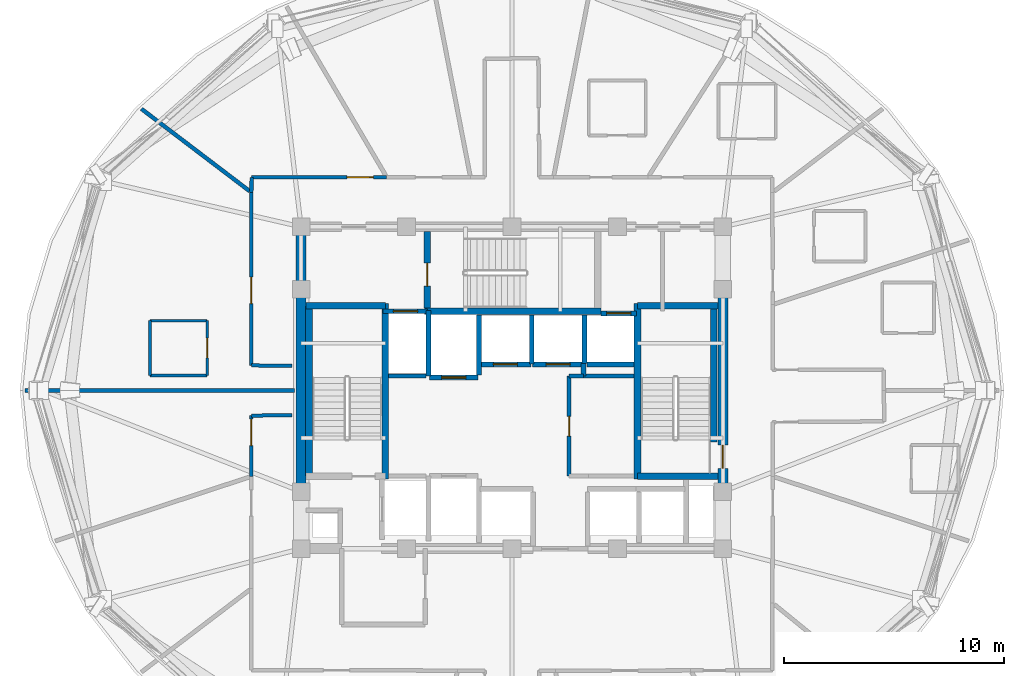
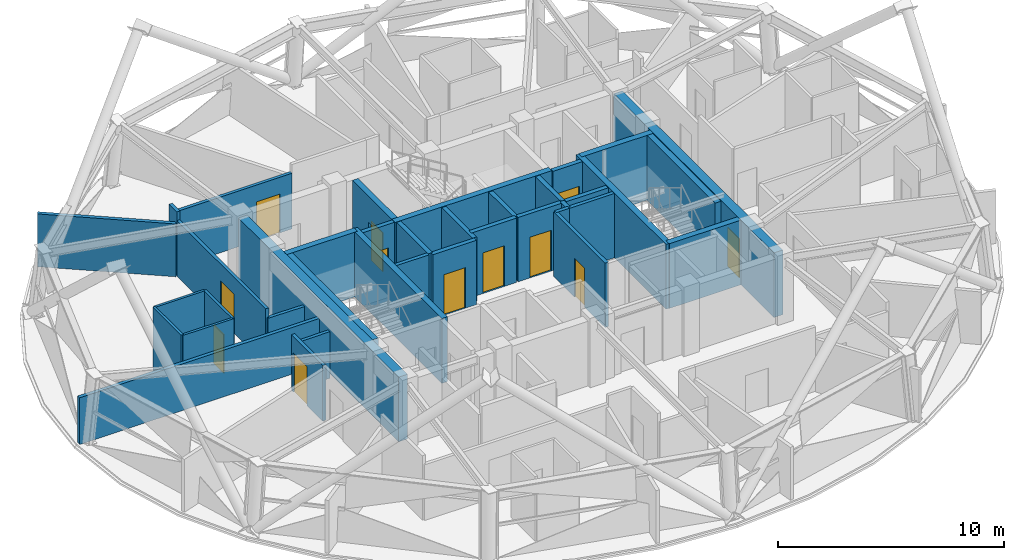
# One storey, part 6 of 12: 38 walls, 12 doors, 12 openings.
"""IFC4 building model written with IfcOpenShell, lengths in metres."""

from ifc_helpers import new_model, si_unit, direction, frame, frame_2d, origin, place, context, subcontext, project, spatial, rectangle, extrude, material, layer, layer_set, type_object, element, fill, save


model = new_model("IFC4")

# Units and contexts
model_context = context("Model", 3, precision=1e-05, world=origin(), true_north=direction((0.0, 1.0)))
body_context = subcontext(model_context, "Body", "Model", "MODEL_VIEW")
ifc_project = project(units=[si_unit("LENGTHUNIT", "METRE"), si_unit("AREAUNIT", "SQUARE_METRE"), si_unit("VOLUMEUNIT", "CUBIC_METRE"), si_unit("PLANEANGLEUNIT", "RADIAN"), si_unit("MASSUNIT", "GRAM", prefix="KILO")], contexts=[model_context])

# Site, building, storey
site_placement = place(None, origin())
site = spatial("IfcSite", under=ifc_project, at=site_placement, CompositionType="ELEMENT")
building_placement = place(site_placement, origin())
building = spatial("IfcBuilding", under=site, at=building_placement, Name="Vantalir Tower", CompositionType="ELEMENT")
storey_placement = place(building_placement, frame((0.0, 0.0, 249.89990234375)))
storey = spatial("IfcBuildingStorey", under=building, at=storey_placement, Name="L63", CompositionType="ELEMENT", Elevation=249.89990234375)

# Walls
ifc_material_1 = material(Name="Moisture-resistant en-suite partition", Category="gypsum")
ifc_layer_1 = layer(ifc_material_1, 0.125)
ifc_layer_set_1 = layer_set([ifc_layer_1], Name="Moisture-resistant en-suite partition")
wall_type_1 = type_object("IfcWallType", Name="WL-BATH-125", PredefinedType="PARTITIONING", material=ifc_layer_set_1)
for number, where, z_axis, x_axis, name in (
    (1, (15.02490234375, 25.678955078125, 0.0), (0.0, 0.0, 1.0), (1.0, 0.0, 0.0), "L63 En-suite 07 South Wall"),
    (2, (15.02490234375, 28.178955078125, 0.0), (0.0, 0.0, 1.0), (1.0, 0.0, 0.0), "L63 En-suite 07 North Wall"),
):
    element("IfcWall", number, at=place(storey_placement, frame(where, z_axis=z_axis, x_axis=x_axis)), inside=storey, type_object=wall_type_1, Name=name, PredefinedType="PARTITIONING", context=body_context, shape_type="SweptSolid", body=[
        extrude(rectangle(XDim=2.60009765625, YDim=0.125, at=frame_2d((1.300048828125, 0.0))), origin(), (0.0, 0.0, 1.0), 3.47998046875),
    ])
wall_1_placement = place(storey_placement, frame((15.02490234375, 25.678955078125, 0.0), z_axis=(0.0, 0.0, 1.0), x_axis=(0.0, 1.0, 0.0)))
element("IfcWall", 3, at=wall_1_placement, inside=storey, type_object=wall_type_1, Name="L63 En-suite 07 West Wall", PredefinedType="PARTITIONING", context=body_context, shape_type="SweptSolid", body=[
    extrude(rectangle(XDim=2.5, YDim=0.125, at=frame_2d((1.25, 0.0))), origin(), (0.0, 0.0, 1.0), 3.47998046875),
])

# Wall, opening, door
wall_2_placement = place(storey_placement, frame((17.625, 25.678955078125, 0.0), z_axis=(0.0, 0.0, 1.0), x_axis=(0.0, 1.0, 0.0)))
wall_2 = element("IfcWall", 4, at=wall_2_placement, inside=storey, type_object=wall_type_1, Name="L63 En-suite 07 East Wall", PredefinedType="PARTITIONING", context=body_context, shape_type="SweptSolid", body=[
    extrude(rectangle(XDim=2.5, YDim=0.125, at=frame_2d((1.25, 0.0))), origin(), (0.0, 0.0, 1.0), 3.47998046875),
])
opening_1_placement = place(wall_2_placement, frame((0.800048828125, 0.0, 0.0)))
opening_1 = element("IfcOpeningElement", 5, at=opening_1_placement, cuts=wall_2, Name="Opening D-WC", PredefinedType="OPENING", context=body_context, shape_type="SweptSolid", body=[
    extrude(rectangle(XDim=0.89990234375, YDim=2.10009765625, at=frame_2d((0.449951171875, 1.050048828125))), frame((0.0, 0.072509765625, 0.0), z_axis=(0.0, -1.0, 0.0), x_axis=(1.0, 0.0, 0.0)), (0.0, 0.0, 1.0), 0.14501953125),
])
ifc_material_2 = material(Name="Moisture-resistant hardwood door", Category="wood")
door_type_1 = type_object("IfcDoorType", Name="DR-ENSUITE-900", OperationType="NOTDEFINED", PredefinedType="DOOR", material=ifc_material_2)
door_1_placement = place(opening_1_placement, origin())
door_1 = element("IfcDoor", 6, at=door_1_placement, inside=storey, type_object=door_type_1, Name="L63 En-suite 07 Door", OperationType="SINGLE_SWING_LEFT", OverallHeight=2.10009765625, OverallWidth=0.89990234375, PredefinedType="DOOR", context=body_context, shape_type="SweptSolid", body=[
    extrude(rectangle(XDim=0.89990234375, YDim=2.10009765625, at=frame_2d((0.449951171875, 1.050048828125))), frame((0.0, 0.02490234375, 0.0), z_axis=(0.0, -1.0, 0.0), x_axis=(1.0, 0.0, 0.0)), (0.0, 0.0, 1.0), 0.050048828125),
])
fill(opening_1, door_1)

# Wall
ifc_material_3 = material(Name="Concrete C50/60", Category="concrete")
ifc_layer_2 = layer(ifc_material_3, 0.449951171875)
ifc_layer_set_2 = layer_set([ifc_layer_2], Name="Concrete C50/60")
wall_type_2 = type_object("IfcWallType", Name="WL-CORE-450", PredefinedType="SHEAR", material=ifc_layer_set_2)
wall_3_placement = place(storey_placement, frame((21.89990234375, 18.02490234375, 0.0), z_axis=(0.0, 0.0, 1.0), x_axis=(0.0, 1.0, 0.0)))
element("IfcWall", 7, at=wall_3_placement, inside=storey, type_object=wall_type_2, Name="L63 Core Shear Wall West", PredefinedType="SHEAR", context=body_context, shape_type="SweptSolid", body=[
    extrude(rectangle(XDim=14.2001953125, YDim=0.449951171875, at=frame_2d((7.10009765625, 0.0))), origin(), (0.0, 0.0, 1.0), 3.5),
])

# Wall, opening, door
wall_4_placement = place(storey_placement, frame((41.10009765625, 18.02490234375, 0.0), z_axis=(0.0, 0.0, 1.0), x_axis=(0.0, 1.0, 0.0)))
wall_4 = element("IfcWall", 8, at=wall_4_placement, inside=storey, type_object=wall_type_2, Name="L63 Core Shear Wall East", PredefinedType="SHEAR", context=body_context, shape_type="SweptSolid", body=[
    extrude(rectangle(XDim=14.2001953125, YDim=0.449951171875, at=frame_2d((7.10009765625, 0.0))), origin(), (0.0, 0.0, 1.0), 3.5),
])
opening_2_placement = place(wall_4_placement, frame((3.43505859375, 0.0, 0.0)))
opening_2 = element("IfcOpeningElement", 9, at=opening_2_placement, cuts=wall_4, Name="Opening D-ST", PredefinedType="OPENING", context=body_context, shape_type="SweptSolid", body=[
    extrude(rectangle(XDim=1.050048828125, YDim=2.10009765625, at=frame_2d((0.52490234375, 1.050048828125))), frame((0.0, 0.23486328125, 0.0), z_axis=(0.0, -1.0, 0.0), x_axis=(1.0, 0.0, 0.0)), (0.0, 0.0, 1.0), 0.469970703125),
])
ifc_material_4 = material(Name="Fire-rated steel door leaf", Category="steel")
door_type_2 = type_object("IfcDoorType", Name="DR-FIRE-STAIR-1050", OperationType="NOTDEFINED", PredefinedType="DOOR", material=ifc_material_4)
door_2_placement = place(opening_2_placement, origin())
door_2 = element("IfcDoor", 10, at=door_2_placement, inside=storey, type_object=door_type_2, Name="L63 Exit Stair ST2 Fire Door", OperationType="SINGLE_SWING_LEFT", OverallHeight=2.10009765625, OverallWidth=1.050048828125, PredefinedType="DOOR", context=body_context, shape_type="SweptSolid", body=[
    extrude(rectangle(XDim=1.050048828125, YDim=2.10009765625, at=frame_2d((0.52490234375, 1.050048828125))), frame((0.0, 0.02490234375, 0.0), z_axis=(0.0, -1.0, 0.0), x_axis=(1.0, 0.0, 0.0)), (0.0, 0.0, 1.0), 0.050048828125),
])
fill(opening_2, door_2)

# Wall
ifc_material_5 = material(Name="Fire-rated hotel corridor acoustic partition", Category="gypsum")
ifc_layer_3 = layer(ifc_material_5, 0.159912109375)
ifc_layer_set_3 = layer_set([ifc_layer_3], Name="Fire-rated hotel corridor acoustic partition")
wall_type_3 = type_object("IfcWallType", Name="WL-CORR-160", PredefinedType="PARTITIONING", material=ifc_layer_set_3)
wall_5_placement = place(storey_placement, frame((21.4951171875, 26.116943359375, 0.0), z_axis=(0.0, 0.0, 1.0), x_axis=(-0.999908537082, 0.013524698532, 0.0)))
element("IfcWall", 11, at=wall_5_placement, inside=storey, type_object=wall_type_3, Name="L63 Corridor Partition 01", PredefinedType="PARTITIONING", context=body_context, shape_type="SweptSolid", body=[
    extrude(rectangle(XDim=1.859375, YDim=0.159912109375, at=frame_2d((0.9296875, 0.0))), origin(), (0.0, 0.0, 1.0), 2.525146484375),
])

# Wall, opening, door
wall_6_placement = place(storey_placement, frame((19.635986328125, 26.14208984375, 0.0), z_axis=(0.0, 0.0, 1.0), x_axis=(0.000899866207, 0.99999959512, 0.0)))
wall_6 = element("IfcWall", 12, at=wall_6_placement, inside=storey, type_object=wall_type_3, Name="L63 Corridor Partition 02", PredefinedType="PARTITIONING", context=body_context, shape_type="SweptSolid", body=[
    extrude(rectangle(XDim=7.867919921875, YDim=0.159912109375, at=frame_2d((3.93408203125, 0.0))), origin(), (0.0, 0.0, 1.0), 3.01220703125),
])
opening_3_placement = place(wall_6_placement, frame((2.81689453125, 0.0, 0.0)))
opening_3 = element("IfcOpeningElement", 13, at=opening_3_placement, cuts=wall_6, Name="Opening D-STE", PredefinedType="OPENING", context=body_context, shape_type="SweptSolid", body=[
    extrude(rectangle(XDim=1.199951171875, YDim=2.10009765625, at=frame_2d((0.60009765625, 1.050048828125))), frame((0.0, 0.08984375, 0.0), z_axis=(0.0, -1.0, 0.0), x_axis=(1.0, 0.0, 0.0)), (0.0, 0.0, 1.0), 0.179931640625),
])
ifc_material_6 = material(Name="Solid-core teak veneer suite entrance door", Category="wood")
door_type_3 = type_object("IfcDoorType", Name="DR-SUITE-ENTRY-1200", OperationType="NOTDEFINED", PredefinedType="DOOR", material=ifc_material_6)
door_3_placement = place(opening_3_placement, origin())
door_3 = element("IfcDoor", 14, at=door_3_placement, inside=storey, type_object=door_type_3, Name="L63 Executive Club Hotel Suite 07 Door", OperationType="SINGLE_SWING_LEFT", OverallHeight=2.10009765625, OverallWidth=1.199951171875, PredefinedType="DOOR", context=body_context, shape_type="SweptSolid", body=[
    extrude(rectangle(XDim=1.199951171875, YDim=2.10009765625, at=frame_2d((0.60009765625, 1.050048828125))), frame((0.0, 0.02490234375, 0.0), z_axis=(0.0, -1.0, 0.0), x_axis=(1.0, 0.0, 0.0)), (0.0, 0.0, 1.0), 0.050048828125),
])
fill(opening_3, door_3)

# Wall
wall_7_placement = place(storey_placement, frame((19.64306640625, 34.010009765625, 0.0), z_axis=(0.0, 0.0, 1.0), x_axis=(0.001415426749, 0.999998998283, 0.0)))
element("IfcWall", 15, at=wall_7_placement, inside=storey, type_object=wall_type_3, Name="L63 Corridor Partition 03", PredefinedType="PARTITIONING", context=body_context, shape_type="SweptSolid", body=[
    extrude(rectangle(XDim=0.68994140625, YDim=0.159912109375, at=frame_2d((0.344970703125, 0.0))), origin(), (0.0, 0.0, 1.0), 3.47998046875),
])

# Wall, opening, door
wall_8_placement = place(storey_placement, frame((19.64404296875, 34.699951171875, 0.0), z_axis=(0.0, 0.0, 1.0), x_axis=(0.999998923057, 0.001467611763, 0.0)))
wall_8 = element("IfcWall", 16, at=wall_8_placement, inside=storey, type_object=wall_type_3, Name="L63 Corridor Partition 04", PredefinedType="PARTITIONING", context=body_context, shape_type="SweptSolid", body=[
    extrude(rectangle(XDim=6.155029296875, YDim=0.159912109375, at=frame_2d((3.07763671875, 0.0))), origin(), (0.0, 0.0, 1.0), 3.01220703125),
])
opening_4_placement = place(wall_8_placement, frame((4.345947265625, 0.0, 0.0)))
opening_4 = element("IfcOpeningElement", 17, at=opening_4_placement, cuts=wall_8, Name="Opening D-STE", PredefinedType="OPENING", context=body_context, shape_type="SweptSolid", body=[
    extrude(rectangle(XDim=1.199951171875, YDim=2.10009765625, at=frame_2d((0.60009765625, 1.050048828125))), frame((0.0, 0.08984375, 0.0), z_axis=(0.0, -1.0, 0.0), x_axis=(1.0, 0.0, 0.0)), (0.0, 0.0, 1.0), 0.179931640625),
])
door_4_placement = place(opening_4_placement, origin())
door_4 = element("IfcDoor", 18, at=door_4_placement, inside=storey, type_object=door_type_3, Name="L63 Club Reading Lounge 06 Door", OperationType="SINGLE_SWING_RIGHT", OverallHeight=2.10009765625, OverallWidth=1.199951171875, PredefinedType="DOOR", context=body_context, shape_type="SweptSolid", body=[
    extrude(rectangle(XDim=1.199951171875, YDim=2.10009765625, at=frame_2d((0.60009765625, 1.050048828125))), frame((0.0, 0.02490234375, 0.0), z_axis=(0.0, -1.0, 0.0), x_axis=(1.0, 0.0, 0.0)), (0.0, 0.0, 1.0), 0.050048828125),
])
fill(opening_4, door_4)

wall_9_placement = place(storey_placement, frame((19.635986328125, 21.090087890625, 0.0), z_axis=(0.0, 0.0, 1.0), x_axis=(-0.000353325656, 0.99999993758, 0.0)))
wall_9 = element("IfcWall", 19, at=wall_9_placement, inside=storey, type_object=wall_type_3, Name="L63 Corridor Partition 33", PredefinedType="PARTITIONING", context=body_context, shape_type="SweptSolid", body=[
    extrude(rectangle(XDim=2.763916015625, YDim=0.159912109375, at=frame_2d((1.3818359375, 0.0))), origin(), (0.0, 0.0, 1.0), 3.01220703125),
])
opening_5_placement = place(wall_9_placement, frame((1.404052734375, 0.0, 0.0)))
opening_5 = element("IfcOpeningElement", 20, at=opening_5_placement, cuts=wall_9, Name="Opening D-STE", PredefinedType="OPENING", context=body_context, shape_type="SweptSolid", body=[
    extrude(rectangle(XDim=1.199951171875, YDim=2.10009765625, at=frame_2d((0.60009765625, 1.050048828125))), frame((0.0, 0.08984375, 0.0), z_axis=(0.0, -1.0, 0.0), x_axis=(1.0, 0.0, 0.0)), (0.0, 0.0, 1.0), 0.179931640625),
])
door_5_placement = place(opening_5_placement, origin())
door_5 = element("IfcDoor", 21, at=door_5_placement, inside=storey, type_object=door_type_3, Name="L63 Club Reading Lounge 08 Door", OperationType="SINGLE_SWING_RIGHT", OverallHeight=2.10009765625, OverallWidth=1.199951171875, PredefinedType="DOOR", context=body_context, shape_type="SweptSolid", body=[
    extrude(rectangle(XDim=1.199951171875, YDim=2.10009765625, at=frame_2d((0.60009765625, 1.050048828125))), frame((0.0, 0.02490234375, 0.0), z_axis=(0.0, -1.0, 0.0), x_axis=(1.0, 0.0, 0.0)), (0.0, 0.0, 1.0), 0.050048828125),
])
fill(opening_5, door_5)

# Walls
wall_10_placement = place(storey_placement, frame((19.635009765625, 23.85400390625, 0.0), z_axis=(0.0, 0.0, 1.0), x_axis=(0.999886107392, 0.015092125259, 0.0)))
element("IfcWall", 22, at=wall_10_placement, inside=storey, type_object=wall_type_3, Name="L63 Corridor Partition 34", PredefinedType="PARTITIONING", context=body_context, shape_type="SweptSolid", body=[
    extrude(rectangle(XDim=1.8603515625, YDim=0.159912109375, at=frame_2d((0.93017578125, 0.0))), origin(), (0.0, 0.0, 1.0), 2.525146484375),
])
ifc_material_7 = material(Name="Concrete blockwork with fireboard lining", Category="masonry")
ifc_layer_4 = layer(ifc_material_7, 0.219970703125)
ifc_layer_set_4 = layer_set([ifc_layer_4], Name="Concrete blockwork with fireboard lining")
wall_type_4 = type_object("IfcWallType", Name="WL-FFL-220", PredefinedType="PARTITIONING", material=ifc_layer_set_4)
wall_11_placement = place(storey_placement, frame((30.0, 25.7099609375, 0.0), z_axis=(0.0, 0.0, 1.0), x_axis=(0.0, 1.0, 0.0)))
element("IfcWall", 23, at=wall_11_placement, inside=storey, type_object=wall_type_4, Name="L63 Service Lift SV2 East Shaft Wall", PredefinedType="PARTITIONING", context=body_context, shape_type="SweptSolid", body=[
    extrude(rectangle(XDim=2.72998046875, YDim=0.219970703125, at=frame_2d((1.364990234375, 0.0))), origin(), (0.0, 0.0, 1.0), 3.47509765625),
])
wall_12_placement = place(storey_placement, frame((32.39990234375, 26.199951171875, 0.0), z_axis=(0.0, 0.0, 1.0), x_axis=(0.0, 1.0, 0.0)))
element("IfcWall", 24, at=wall_12_placement, inside=storey, type_object=wall_type_4, Name="L63 High-Rise Lift PL-H1/H2 Shaft Divider", PredefinedType="PARTITIONING", context=body_context, shape_type="SweptSolid", body=[
    extrude(rectangle(XDim=2.239990234375, YDim=0.219970703125, at=frame_2d((1.1201171875, 0.0))), origin(), (0.0, 0.0, 1.0), 3.47509765625),
])
wall_13_placement = place(storey_placement, frame((34.800048828125, 26.22998046875, 0.0), z_axis=(0.0, 0.0, 1.0), x_axis=(0.0, 1.0, 0.0)))
element("IfcWall", 25, at=wall_13_placement, inside=storey, type_object=wall_type_4, Name="L63 High-Rise Lift PL-H2/H3 Shaft Divider", PredefinedType="PARTITIONING", context=body_context, shape_type="SweptSolid", body=[
    extrude(rectangle(XDim=2.2099609375, YDim=0.219970703125, at=frame_2d((1.10498046875, 0.0))), origin(), (0.0, 0.0, 1.0), 3.47509765625),
])
wall_14_placement = place(storey_placement, frame((34.909912109375, 26.18994140625, 0.0), z_axis=(0.0, 0.0, 1.0), x_axis=(1.0, 0.0, 0.0)))
element("IfcWall", 26, at=wall_14_placement, inside=storey, type_object=wall_type_4, Name="L63 High-Rise Lift PL-H3 Rear Shaft Wall", PredefinedType="PARTITIONING", context=body_context, shape_type="SweptSolid", body=[
    extrude(rectangle(XDim=2.14013671875, YDim=0.219970703125, at=frame_2d((1.070068359375, 0.0))), origin(), (0.0, 0.0, 1.0), 3.47509765625),
])

# Wall, opening, door
wall_15_placement = place(storey_placement, frame((25.639892578125, 28.610107421875, 0.0), z_axis=(0.0, 0.0, 1.0), x_axis=(1.0, 0.0, 0.0)))
wall_15 = element("IfcWall", 27, at=wall_15_placement, inside=storey, type_object=wall_type_4, Name="L63 Lift FL2 Shaft Front Wall", PredefinedType="PARTITIONING", context=body_context, shape_type="SweptSolid", body=[
    extrude(rectangle(XDim=2.02001953125, YDim=0.219970703125, at=frame_2d((1.010009765625, 0.0))), origin(), (0.0, 0.0, 1.0), 3.47998046875),
])
opening_6_placement = place(wall_15_placement, frame((0.4599609375, 0.0, 0.0)))
opening_6 = element("IfcOpeningElement", 28, at=opening_6_placement, cuts=wall_15, Name="Opening LD-FL2", PredefinedType="OPENING", context=body_context, shape_type="SweptSolid", body=[
    extrude(rectangle(XDim=1.10009765625, YDim=2.199951171875, at=frame_2d((0.550048828125, 1.10009765625))), frame((0.0, 0.119873046875, 0.0), z_axis=(0.0, -1.0, 0.0), x_axis=(1.0, 0.0, 0.0)), (0.0, 0.0, 1.0), 0.239990234375),
])
ifc_material_8 = material(Name="Brushed stainless-steel sliding lift landing door", Category="steel")
door_type_4 = type_object("IfcDoorType", Name="DR-LIFT-LANDING-1100", OperationType="DOUBLE_DOOR_SLIDING", PredefinedType="DOOR", material=ifc_material_8)
door_6_placement = place(opening_6_placement, origin())
door_6 = element("IfcDoor", 29, at=door_6_placement, inside=storey, type_object=door_type_4, Name="L63 Lift Landing Door FL2", OperationType="DOUBLE_DOOR_SLIDING", OverallHeight=2.199951171875, OverallWidth=1.10009765625, PredefinedType="DOOR", context=body_context, shape_type="SweptSolid", body=[
    extrude(rectangle(XDim=1.10009765625, YDim=2.199951171875, at=frame_2d((0.550048828125, 1.10009765625))), frame((0.0, 0.02490234375, 0.0), z_axis=(0.0, -1.0, 0.0), x_axis=(1.0, 0.0, 0.0)), (0.0, 0.0, 1.0), 0.050048828125),
])
fill(opening_6, door_6)

wall_16_placement = place(storey_placement, frame((27.739990234375, 25.590087890625, 0.0), z_axis=(0.0, 0.0, 1.0), x_axis=(1.0, 0.0, 0.0)))
wall_16 = element("IfcWall", 30, at=wall_16_placement, inside=storey, type_object=wall_type_4, Name="L63 Lift SV2 Shaft Front Wall", PredefinedType="PARTITIONING", context=body_context, shape_type="SweptSolid", body=[
    extrude(rectangle(XDim=2.219970703125, YDim=0.219970703125, at=frame_2d((1.10986328125, 0.0))), origin(), (0.0, 0.0, 1.0), 3.47998046875),
])
opening_7_placement = place(wall_16_placement, frame((0.56005859375, 0.0, 0.0)))
opening_7 = element("IfcOpeningElement", 31, at=opening_7_placement, cuts=wall_16, Name="Opening LD-SV2", PredefinedType="OPENING", context=body_context, shape_type="SweptSolid", body=[
    extrude(rectangle(XDim=1.10009765625, YDim=2.199951171875, at=frame_2d((0.550048828125, 1.10009765625))), frame((0.0, 0.119873046875, 0.0), z_axis=(0.0, -1.0, 0.0), x_axis=(1.0, 0.0, 0.0)), (0.0, 0.0, 1.0), 0.239990234375),
])
door_7_placement = place(opening_7_placement, frame((1.10009765625, 0.0, 0.0), z_axis=(0.0, 0.0, 1.0), x_axis=(-1.0, 0.0, 0.0)))
door_7 = element("IfcDoor", 32, at=door_7_placement, inside=storey, type_object=door_type_4, Name="L63 Lift Landing Door SV2", OperationType="DOUBLE_DOOR_SLIDING", OverallHeight=2.199951171875, OverallWidth=1.10009765625, PredefinedType="DOOR", context=body_context, shape_type="SweptSolid", body=[
    extrude(rectangle(XDim=1.10009765625, YDim=2.199951171875, at=frame_2d((0.550048828125, 1.10009765625))), frame((0.0, 0.02490234375, 0.0), z_axis=(0.0, -1.0, 0.0), x_axis=(1.0, 0.0, 0.0)), (0.0, 0.0, 1.0), 0.050048828125),
])
fill(opening_7, door_7)

wall_17_placement = place(storey_placement, frame((30.0400390625, 26.18994140625, 0.0), z_axis=(0.0, 0.0, 1.0), x_axis=(1.0, 0.0, 0.0)))
wall_17 = element("IfcWall", 33, at=wall_17_placement, inside=storey, type_object=wall_type_4, Name="L63 Lift PL-H1 Shaft Front Wall", PredefinedType="PARTITIONING", context=body_context, shape_type="SweptSolid", body=[
    extrude(rectangle(XDim=2.320068359375, YDim=0.219970703125, at=frame_2d((1.16015625, 0.0))), origin(), (0.0, 0.0, 1.0), 3.47998046875),
])
opening_8_placement = place(wall_17_placement, frame((0.610107421875, 0.0, 0.0)))
opening_8 = element("IfcOpeningElement", 34, at=opening_8_placement, cuts=wall_17, Name="Opening LD-PL-H1", PredefinedType="OPENING", context=body_context, shape_type="SweptSolid", body=[
    extrude(rectangle(XDim=1.10009765625, YDim=2.199951171875, at=frame_2d((0.550048828125, 1.10009765625))), frame((0.0, 0.119873046875, 0.0), z_axis=(0.0, -1.0, 0.0), x_axis=(1.0, 0.0, 0.0)), (0.0, 0.0, 1.0), 0.239990234375),
])
door_8_placement = place(opening_8_placement, frame((1.10009765625, 0.0, 0.0), z_axis=(0.0, 0.0, 1.0), x_axis=(-1.0, 0.0, 0.0)))
door_8 = element("IfcDoor", 35, at=door_8_placement, inside=storey, type_object=door_type_4, Name="L63 Lift Landing Door PL-H1", OperationType="DOUBLE_DOOR_SLIDING", OverallHeight=2.199951171875, OverallWidth=1.10009765625, PredefinedType="DOOR", context=body_context, shape_type="SweptSolid", body=[
    extrude(rectangle(XDim=1.10009765625, YDim=2.199951171875, at=frame_2d((0.550048828125, 1.10009765625))), frame((0.0, 0.02490234375, 0.0), z_axis=(0.0, -1.0, 0.0), x_axis=(1.0, 0.0, 0.0)), (0.0, 0.0, 1.0), 0.050048828125),
])
fill(opening_8, door_8)

wall_18_placement = place(storey_placement, frame((32.43994140625, 26.18994140625, 0.0), z_axis=(0.0, 0.0, 1.0), x_axis=(1.0, 0.0, 0.0)))
wall_18 = element("IfcWall", 36, at=wall_18_placement, inside=storey, type_object=wall_type_4, Name="L63 Lift PL-H2 Shaft Front Wall", PredefinedType="PARTITIONING", context=body_context, shape_type="SweptSolid", body=[
    extrude(rectangle(XDim=2.320068359375, YDim=0.219970703125, at=frame_2d((1.16015625, 0.0))), origin(), (0.0, 0.0, 1.0), 3.47998046875),
])
opening_9_placement = place(wall_18_placement, frame((0.610107421875, 0.0, 0.0)))
opening_9 = element("IfcOpeningElement", 37, at=opening_9_placement, cuts=wall_18, Name="Opening LD-PL-H2", PredefinedType="OPENING", context=body_context, shape_type="SweptSolid", body=[
    extrude(rectangle(XDim=1.10009765625, YDim=2.199951171875, at=frame_2d((0.550048828125, 1.10009765625))), frame((0.0, 0.119873046875, 0.0), z_axis=(0.0, -1.0, 0.0), x_axis=(1.0, 0.0, 0.0)), (0.0, 0.0, 1.0), 0.239990234375),
])
door_9_placement = place(opening_9_placement, frame((1.10009765625, 0.0, 0.0), z_axis=(0.0, 0.0, 1.0), x_axis=(-1.0, 0.0, 0.0)))
door_9 = element("IfcDoor", 38, at=door_9_placement, inside=storey, type_object=door_type_4, Name="L63 Lift Landing Door PL-H2", OperationType="DOUBLE_DOOR_SLIDING", OverallHeight=2.199951171875, OverallWidth=1.10009765625, PredefinedType="DOOR", context=body_context, shape_type="SweptSolid", body=[
    extrude(rectangle(XDim=1.10009765625, YDim=2.199951171875, at=frame_2d((0.550048828125, 1.10009765625))), frame((0.0, 0.02490234375, 0.0), z_axis=(0.0, -1.0, 0.0), x_axis=(1.0, 0.0, 0.0)), (0.0, 0.0, 1.0), 0.050048828125),
])
fill(opening_9, door_9)

wall_19_placement = place(storey_placement, frame((35.56005859375, 28.510009765625, 0.0), z_axis=(0.0, 0.0, 1.0), x_axis=(1.0, 0.0, 0.0)))
wall_19 = element("IfcWall", 39, at=wall_19_placement, inside=storey, type_object=wall_type_4, Name="L63 Lift PL-H3 Shaft Front Wall", PredefinedType="PARTITIONING", context=body_context, shape_type="SweptSolid", body=[
    extrude(rectangle(XDim=1.599853515625, YDim=0.219970703125, at=frame_2d((0.7998046875, 0.0))), origin(), (0.0, 0.0, 1.0), 3.47998046875),
])
opening_10_placement = place(wall_19_placement, frame((0.25, 0.0, 0.0)))
opening_10 = element("IfcOpeningElement", 40, at=opening_10_placement, cuts=wall_19, Name="Opening LD-PL-H3", PredefinedType="OPENING", context=body_context, shape_type="SweptSolid", body=[
    extrude(rectangle(XDim=1.10009765625, YDim=2.199951171875, at=frame_2d((0.550048828125, 1.10009765625))), frame((0.0, 0.119873046875, 0.0), z_axis=(0.0, -1.0, 0.0), x_axis=(1.0, 0.0, 0.0)), (0.0, 0.0, 1.0), 0.239990234375),
])
door_10_placement = place(opening_10_placement, origin())
door_10 = element("IfcDoor", 41, at=door_10_placement, inside=storey, type_object=door_type_4, Name="L63 Lift Landing Door PL-H3", OperationType="DOUBLE_DOOR_SLIDING", OverallHeight=2.199951171875, OverallWidth=1.10009765625, PredefinedType="DOOR", context=body_context, shape_type="SweptSolid", body=[
    extrude(rectangle(XDim=1.10009765625, YDim=2.199951171875, at=frame_2d((0.550048828125, 1.10009765625))), frame((0.0, 0.02490234375, 0.0), z_axis=(0.0, -1.0, 0.0), x_axis=(1.0, 0.0, 0.0)), (0.0, 0.0, 1.0), 0.050048828125),
])
fill(opening_10, door_10)

# Walls
wall_20_placement = place(storey_placement, frame((27.699951171875, 25.64990234375, 0.0), z_axis=(0.0, 0.0, 1.0), x_axis=(0.0, 1.0, 0.0)))
element("IfcWall", 42, at=wall_20_placement, inside=storey, type_object=wall_type_4, Name="L63 Fire Lift FL2 Dividing Wall", PredefinedType="PARTITIONING", context=body_context, shape_type="SweptSolid", body=[
    extrude(rectangle(XDim=3.0, YDim=0.219970703125, at=frame_2d((1.5, 0.0))), origin(), (0.0, 0.0, 1.0), 3.47998046875),
])
wall_21_placement = place(storey_placement, frame((34.760009765625, 25.64990234375, 0.0), z_axis=(0.0, 0.0, 1.0), x_axis=(0.0, 1.0, 0.0)))
element("IfcWall", 43, at=wall_21_placement, inside=storey, type_object=wall_type_4, Name="L63 High-Rise Shaft Shoulder Wall", PredefinedType="PARTITIONING", context=body_context, shape_type="SweptSolid", body=[
    extrude(rectangle(XDim=0.570068359375, YDim=0.219970703125, at=frame_2d((0.28515625, 0.0))), origin(), (0.0, 0.0, 1.0), 3.47998046875),
])
ifc_material_9 = material(Name="Twin-stud acoustic fire-rated gypsum partition", Category="gypsum")
ifc_layer_5 = layer(ifc_material_9, 0.179931640625)
ifc_layer_set_5 = layer_set([ifc_layer_5], Name="Twin-stud acoustic fire-rated gypsum partition")
wall_type_5 = type_object("IfcWallType", Name="WL-GUEST-180", PredefinedType="PARTITIONING", material=ifc_layer_set_5)
wall_22_placement = place(storey_placement, frame((25.889892578125, 25.64990234375, 0.0), z_axis=(0.0, 0.0, 1.0), x_axis=(1.0, 0.0, 0.0)))
element("IfcWall", 44, at=wall_22_placement, inside=storey, type_object=wall_type_5, Name="L63 Freed West Core North Wall", PredefinedType="PARTITIONING", context=body_context, shape_type="SweptSolid", body=[
    extrude(rectangle(XDim=1.7001953125, YDim=0.179931640625, at=frame_2d((0.85009765625, 0.0))), origin(), (0.0, 0.0, 1.0), 3.47998046875),
])
wall_23_placement = place(storey_placement, frame((34.719970703125, 25.64990234375, 0.0), z_axis=(0.0, 0.0, 1.0), x_axis=(1.0, 0.0, 0.0)))
element("IfcWall", 45, at=wall_23_placement, inside=storey, type_object=wall_type_5, Name="L63 Freed East Core North Wall", PredefinedType="PARTITIONING", context=body_context, shape_type="SweptSolid", body=[
    extrude(rectangle(XDim=2.340087890625, YDim=0.179931640625, at=frame_2d((1.169921875, 0.0))), origin(), (0.0, 0.0, 1.0), 3.47998046875),
])
wall_24_placement = place(storey_placement, frame((34.10009765625, 25.64990234375, 0.0), z_axis=(0.0, 0.0, 1.0), x_axis=(1.0, 0.0, 0.0)))
element("IfcWall", 46, at=wall_24_placement, inside=storey, type_object=wall_type_5, Name="L63 East Core Room North Return", PredefinedType="PARTITIONING", context=body_context, shape_type="SweptSolid", body=[
    extrude(rectangle(XDim=0.659912109375, YDim=0.179931640625, at=frame_2d((0.330078125, 0.0))), origin(), (0.0, 0.0, 1.0), 3.47998046875),
])

# Wall, opening, door
wall_25_placement = place(storey_placement, frame((34.10009765625, 21.10009765625, 0.0), z_axis=(0.0, 0.0, 1.0), x_axis=(0.0, 1.0, 0.0)))
wall_25 = element("IfcWall", 47, at=wall_25_placement, inside=storey, type_object=wall_type_5, Name="L63 East Core Room West Wall", PredefinedType="PARTITIONING", context=body_context, shape_type="SweptSolid", body=[
    extrude(rectangle(XDim=4.5498046875, YDim=0.179931640625, at=frame_2d((2.27490234375, 0.0))), origin(), (0.0, 0.0, 1.0), 3.47998046875),
])
opening_11_placement = place(wall_25_placement, frame((1.824951171875, 0.0, 0.0)))
opening_11 = element("IfcOpeningElement", 48, at=opening_11_placement, cuts=wall_25, Name="Opening D-CR", PredefinedType="OPENING", context=body_context, shape_type="SweptSolid", body=[
    extrude(rectangle(XDim=0.89990234375, YDim=2.10009765625, at=frame_2d((0.449951171875, 1.050048828125))), frame((0.0, 0.099853515625, 0.0), z_axis=(0.0, -1.0, 0.0), x_axis=(1.0, 0.0, 0.0)), (0.0, 0.0, 1.0), 0.199951171875),
])
ifc_material_10 = material(Name="Fire-rated steel core service door", Category="steel")
door_type_5 = type_object("IfcDoorType", Name="DR-CORE-SERV-900", OperationType="NOTDEFINED", PredefinedType="DOOR", material=ifc_material_10)
door_11_placement = place(opening_11_placement, frame((0.89990234375, 0.0, 0.0), z_axis=(0.0, 0.0, 1.0), x_axis=(-1.0, 0.0, 0.0)))
door_11 = element("IfcDoor", 49, at=door_11_placement, inside=storey, type_object=door_type_5, Name="L63 Core Linen Store Door", OperationType="SINGLE_SWING_LEFT", OverallHeight=2.10009765625, OverallWidth=0.89990234375, PredefinedType="DOOR", context=body_context, shape_type="SweptSolid", body=[
    extrude(rectangle(XDim=0.89990234375, YDim=2.10009765625, at=frame_2d((0.449951171875, 1.050048828125))), frame((0.0, 0.02490234375, 0.0), z_axis=(0.0, -1.0, 0.0), x_axis=(1.0, 0.0, 0.0)), (0.0, 0.0, 1.0), 0.050048828125),
])
fill(opening_11, door_11)

# Walls
wall_26_placement = place(storey_placement, frame((19.56005859375, 34.072998046875, 0.0), z_axis=(0.0, 0.0, 1.0), x_axis=(-0.796115821465, 0.605144279336, 0.0)))
element("IfcWall", 50, at=wall_26_placement, inside=storey, type_object=wall_type_5, Name="L63 Radial Suite Partition 07", PredefinedType="PARTITIONING", context=body_context, shape_type="SweptSolid", body=[
    extrude(rectangle(XDim=6.188720703125, YDim=0.179931640625, at=frame_2d((3.09423828125, 0.0))), origin(), (0.0, 0.0, 1.0), 2.85498046875),
])
wall_27_placement = place(storey_placement, frame((21.60009765625, 25.0, 0.0), z_axis=(0.0, 0.0, 1.0), x_axis=(-1.0, 0.0, 0.0)))
element("IfcWall", 51, at=wall_27_placement, inside=storey, type_object=wall_type_5, Name="L63 Radial Suite Partition 08", PredefinedType="PARTITIONING", context=body_context, shape_type="SweptSolid", body=[
    extrude(rectangle(XDim=12.26708984375, YDim=0.179931640625, at=frame_2d((6.133544921875, 0.0))), origin(), (0.0, 0.0, 1.0), 2.525146484375),
])
ifc_layer_6 = layer(ifc_material_3, 0.300048828125)
ifc_layer_set_6 = layer_set([ifc_layer_6], Name="Concrete C50/60")
wall_type_6 = type_object("IfcWallType", Name="WL-STAIR-300", PredefinedType="SHEAR", material=ifc_layer_set_6)
wall_28_placement = place(storey_placement, frame((22.125, 28.85009765625, 0.0), z_axis=(0.0, 0.0, 1.0), x_axis=(1.0, 0.0, 0.0)))
element("IfcWall", 52, at=wall_28_placement, inside=storey, type_object=wall_type_6, Name="L63 Stair ST1 North Wall", PredefinedType="SHEAR", context=body_context, shape_type="SweptSolid", body=[
    extrude(rectangle(XDim=3.614990234375, YDim=0.300048828125, at=frame_2d((1.8076171875, 0.0))), origin(), (0.0, 0.0, 1.0), 3.5),
])
wall_29_placement = place(storey_placement, frame((25.739990234375, 20.97998046875, 0.0), z_axis=(0.0, 0.0, 1.0), x_axis=(0.0, 1.0, 0.0)))
element("IfcWall", 53, at=wall_29_placement, inside=storey, type_object=wall_type_6, Name="L63 Stair ST1 East Wall", PredefinedType="SHEAR", context=body_context, shape_type="SweptSolid", body=[
    extrude(rectangle(XDim=7.989990234375, YDim=0.300048828125, at=frame_2d((3.9951171875, 0.0))), origin(), (0.0, 0.0, 1.0), 3.5),
])
wall_30_placement = place(storey_placement, frame((22.260009765625, 21.10009765625, 0.0), z_axis=(0.0, 0.0, 1.0), x_axis=(0.0, 1.0, 0.0)))
element("IfcWall", 54, at=wall_30_placement, inside=storey, type_object=wall_type_6, Name="L63 Stair ST1 West Liner Wall", PredefinedType="SHEAR", context=body_context, shape_type="SweptSolid", body=[
    extrude(rectangle(XDim=7.75, YDim=0.300048828125, at=frame_2d((3.875, 0.0))), origin(), (0.0, 0.0, 1.0), 3.5),
])
for number, where, z_axis, x_axis, name in (
    (55, (37.2099609375, 21.10009765625, 0.0), (0.0, 0.0, 1.0), (1.0, 0.0, 0.0), "L63 Stair ST2 South Wall"),
    (56, (37.2099609375, 28.85009765625, 0.0), (0.0, 0.0, 1.0), (1.0, 0.0, 0.0), "L63 Stair ST2 North Wall"),
):
    element("IfcWall", number, at=place(storey_placement, frame(where, z_axis=z_axis, x_axis=x_axis)), inside=storey, type_object=wall_type_6, Name=name, PredefinedType="SHEAR", context=body_context, shape_type="SweptSolid", body=[
        extrude(rectangle(XDim=3.6650390625, YDim=0.300048828125, at=frame_2d((1.83251953125, 0.0))), origin(), (0.0, 0.0, 1.0), 3.5),
    ])
wall_31_placement = place(storey_placement, frame((37.2099609375, 20.97998046875, 0.0), z_axis=(0.0, 0.0, 1.0), x_axis=(0.0, 1.0, 0.0)))
element("IfcWall", 57, at=wall_31_placement, inside=storey, type_object=wall_type_6, Name="L63 Stair ST2 West Wall", PredefinedType="SHEAR", context=body_context, shape_type="SweptSolid", body=[
    extrude(rectangle(XDim=7.989990234375, YDim=0.300048828125, at=frame_2d((3.9951171875, 0.0))), origin(), (0.0, 0.0, 1.0), 3.5),
])
wall_32_placement = place(storey_placement, frame((40.68994140625, 22.64990234375, 0.0), z_axis=(0.0, 0.0, 1.0), x_axis=(0.0, 1.0, 0.0)))
element("IfcWall", 58, at=wall_32_placement, inside=storey, type_object=wall_type_6, Name="L63 Stair ST2 East Liner Wall", PredefinedType="SHEAR", context=body_context, shape_type="SweptSolid", body=[
    extrude(rectangle(XDim=6.2001953125, YDim=0.300048828125, at=frame_2d((3.10009765625, 0.0))), origin(), (0.0, 0.0, 1.0), 3.5),
])
wall_33_placement = place(storey_placement, frame((27.510009765625, 28.60009765625, 0.0), z_axis=(0.0, 0.0, 1.0), x_axis=(1.0, 0.0, 0.0)))
element("IfcWall", 59, at=wall_33_placement, inside=storey, type_object=wall_type_6, Name="L63 Stair ST3 South Wall", PredefinedType="SHEAR", context=body_context, shape_type="SweptSolid", body=[
    extrude(rectangle(XDim=8.030029296875, YDim=0.300048828125, at=frame_2d((4.01513671875, 0.0))), origin(), (0.0, 0.0, 1.0), 3.5),
])

# Wall, opening, door
wall_34_placement = place(storey_placement, frame((27.64990234375, 28.75, 0.0), z_axis=(0.0, 0.0, 1.0), x_axis=(0.0, 1.0, 0.0)))
wall_34 = element("IfcWall", 60, at=wall_34_placement, inside=storey, type_object=wall_type_6, Name="L63 Stair ST3 West Wall", PredefinedType="SHEAR", context=body_context, shape_type="SweptSolid", body=[
    extrude(rectangle(XDim=3.47509765625, YDim=0.300048828125, at=frame_2d((1.737548828125, 0.0))), origin(), (0.0, 0.0, 1.0), 3.5),
])
opening_12_placement = place(wall_34_placement, frame((1.0, 0.0, 0.0)))
opening_12 = element("IfcOpeningElement", 61, at=opening_12_placement, cuts=wall_34, Name="Opening D-ST", PredefinedType="OPENING", context=body_context, shape_type="SweptSolid", body=[
    extrude(rectangle(XDim=1.050048828125, YDim=2.10009765625, at=frame_2d((0.52490234375, 1.050048828125))), frame((0.0, 0.159912109375, 0.0), z_axis=(0.0, -1.0, 0.0), x_axis=(1.0, 0.0, 0.0)), (0.0, 0.0, 1.0), 0.320068359375),
])
door_12_placement = place(opening_12_placement, frame((1.050048828125, 0.0, 0.0), z_axis=(0.0, 0.0, 1.0), x_axis=(-1.0, 0.0, 0.0)))
door_12 = element("IfcDoor", 62, at=door_12_placement, inside=storey, type_object=door_type_2, Name="L63 Exit Stair ST3 Fire Door", OperationType="SINGLE_SWING_RIGHT", OverallHeight=2.10009765625, OverallWidth=1.050048828125, PredefinedType="DOOR", context=body_context, shape_type="SweptSolid", body=[
    extrude(rectangle(XDim=1.050048828125, YDim=2.10009765625, at=frame_2d((0.52490234375, 1.050048828125))), frame((0.0, 0.02490234375, 0.0), z_axis=(0.0, -1.0, 0.0), x_axis=(1.0, 0.0, 0.0)), (0.0, 0.0, 1.0), 0.050048828125),
])
fill(opening_12, door_12)

save(model, "model.ifc")
